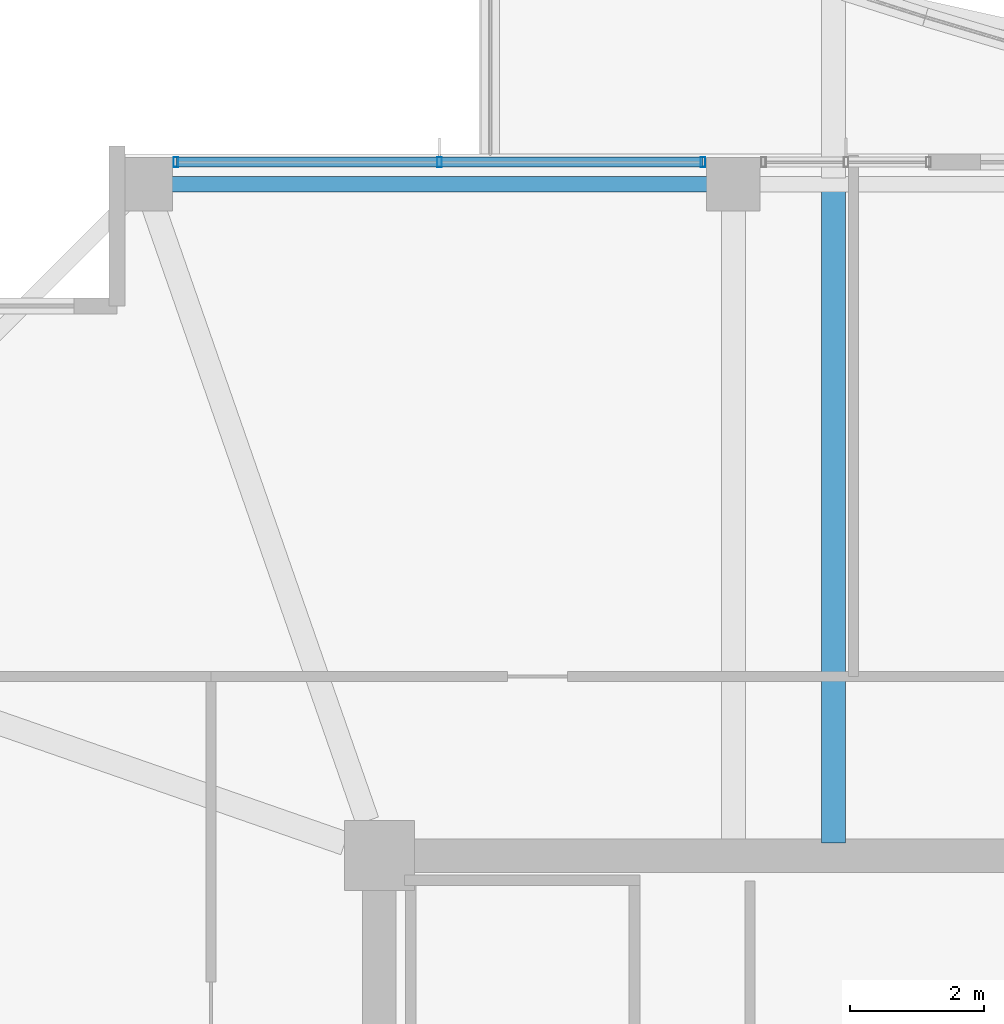
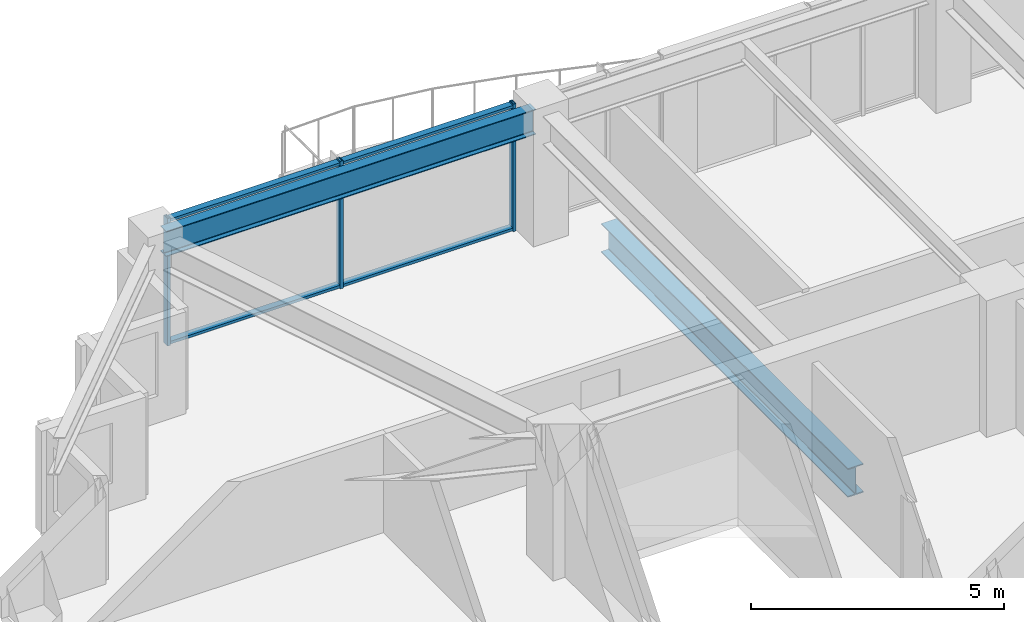
# One storey, part 16 of 36: 5 members, 2 beams, 1 element without a shape of its own.
"""IFC4 building model written with IfcOpenShell, lengths in metres."""

import ifcopenshell
import ifcopenshell.guid

model = None  # the IFC model being written
_history = None  # IfcOwnerHistory: only IFC2X3 demands one
_inside = {}  # id of a spatial element -> (the spatial element, [elements in it])
_under = {}  # id of a project, library or spatial element -> (it, [spatial elements below it])
_declared = {}  # id of a project -> (the project, [libraries it declares])
_typed = {}  # id of a type object -> (the type object, [elements of that type])
_made_of = {}  # id of a material, layer set ... -> (it, [elements and type objects made of it])


def new_model(schema):
    """Start an empty IFC model of exactly this schema.

    Asked for "IFC4X3", IfcOpenShell would pick the latest addendum, in which some entities
    have other attributes; the version numbers below select the first issue.
    IFC2X3 requires an IfcOwnerHistory on every rooted entity: one is made here for all.
    """
    global model, _history
    if schema == "IFC4X3":
        model = ifcopenshell.file(schema_version=(4, 3, 0, 0))
    else:
        model = ifcopenshell.file(schema=schema)
    _inside.clear()
    _under.clear()
    _declared.clear()
    _typed.clear()
    _made_of.clear()
    _history = None
    if model.schema == "IFC2X3":
        org = make("IfcOrganization", Name="unknown")
        user = make(
            "IfcPersonAndOrganization",
            ThePerson=make("IfcPerson", FamilyName="unknown"),
            TheOrganization=org,
        )
        app = make(
            "IfcApplication",
            ApplicationDeveloper=org,
            Version="unknown",
            ApplicationFullName="unknown",
            ApplicationIdentifier="unknown",
        )
        _history = make(
            "IfcOwnerHistory",
            OwningUser=user,
            OwningApplication=app,
            ChangeAction="ADDED",
            CreationDate=0,
        )
    return model


def make(cls, **values):
    """One entity of the class cls with the attributes given. An attribute that is None is left unset."""
    return model.create_entity(
        cls, **{name: value for name, value in values.items() if value is not None}
    )


def rooted(cls, **values):
    """An entity with a GlobalId (a new one), such as an element, a storey or a relation."""
    return make(cls, GlobalId=ifcopenshell.guid.new(), OwnerHistory=_history, **values)


def si_unit(unit_type, name, prefix=None):
    """IfcSIUnit, for example si_unit("LENGTHUNIT", "METRE", prefix="MILLI")."""
    return make("IfcSIUnit", UnitType=unit_type, Prefix=prefix, Name=name)


def assignment(units):
    """IfcUnitAssignment: the units of a project."""
    return None if units is None else make("IfcUnitAssignment", Units=units)


def point(xyz):
    """IfcCartesianPoint."""
    return None if xyz is None else make("IfcCartesianPoint", Coordinates=xyz)


def direction(xyz):
    """IfcDirection."""
    return None if xyz is None else make("IfcDirection", DirectionRatios=xyz)


def frame(location, z_axis=None, x_axis=None):
    """IfcAxis2Placement3D, a coordinate frame: its origin and axes. An axis left out is left unset."""
    return make(
        "IfcAxis2Placement3D",
        Location=point(location),
        Axis=direction(z_axis),
        RefDirection=direction(x_axis),
    )


def frame_2d(location, x_axis=None):
    """IfcAxis2Placement2D, a coordinate frame in the plane: its origin and x axis."""
    return make(
        "IfcAxis2Placement2D", Location=point(location), RefDirection=direction(x_axis)
    )


def origin():
    """The frame at (0, 0, 0) with its axes left unset."""
    return frame((0.0, 0.0, 0.0))


def origin_2d():
    """The frame at (0, 0) in the plane with its x axis left unset."""
    return frame_2d((0.0, 0.0))


def place(relative_to, where):
    """IfcLocalPlacement: puts the frame where relative to a parent placement (None: the world)."""
    return make(
        "IfcLocalPlacement", PlacementRelTo=relative_to, RelativePlacement=where
    )


def context(
    kind, dimensions, precision=None, world=None, true_north=None, identifier=None
):
    """IfcGeometricRepresentationContext, for example the 3D "Model" context."""
    return make(
        "IfcGeometricRepresentationContext",
        ContextIdentifier=identifier,
        ContextType=kind,
        CoordinateSpaceDimension=dimensions,
        Precision=precision,
        WorldCoordinateSystem=world,
        TrueNorth=true_north,
    )


def subcontext(parent, identifier, kind, view, scale=None):
    """IfcGeometricRepresentationSubContext, for example "Body" below "Model"."""
    return make(
        "IfcGeometricRepresentationSubContext",
        ContextIdentifier=identifier,
        ContextType=kind,
        ParentContext=parent,
        TargetScale=scale,
        TargetView=view,
    )


def project(units=None, contexts=None):
    """IfcProject with its units and contexts."""
    return rooted(
        "IfcProject",
        Name="project",
        RepresentationContexts=contexts,
        UnitsInContext=assignment(units),
    )


def spatial(cls, under=None, at=None, **own):
    """A site, building, storey or space (cls), placed at a placement, below another one or the project."""
    s = rooted(cls, ObjectPlacement=at, **own)
    if under is not None:
        _under.setdefault(under.id(), (under, []))[1].append(s)
    return s


def profile(cls, at=None, kind="AREA", **sizes):
    """A parametric profile (cls). Its sizes go by their IFC names, for example OverallWidth=200.0."""
    return make(cls, ProfileType=kind, Position=at, **sizes)


def hollow_rectangle(**sizes):
    """IfcRectangleHollowProfileDef."""
    return profile("IfcRectangleHollowProfileDef", **sizes)


def i_section(**sizes):
    """IfcIShapeProfileDef."""
    return profile("IfcIShapeProfileDef", **sizes)


def extrude(swept, where, along, depth):
    """IfcExtrudedAreaSolid: the profile swept, set in the frame where, extruded along a direction by depth."""
    return make(
        "IfcExtrudedAreaSolid",
        SweptArea=swept,
        Position=where,
        ExtrudedDirection=direction(along),
        Depth=depth,
    )


def shape(context_of_items, identifier, shape_type, items):
    """IfcShapeRepresentation: the items that make up one representation, for example the "Body"."""
    return make(
        "IfcShapeRepresentation",
        ContextOfItems=context_of_items,
        RepresentationIdentifier=identifier,
        RepresentationType=shape_type,
        Items=items,
    )


def material(Name=None, Category=None):
    """IfcMaterial."""
    return make("IfcMaterial", Name=Name, Category=Category)


def material_profile(
    of_material, cross_section, Name=None, Category=None, Priority=None
):
    """IfcMaterialProfile: a cross section and its material."""
    return make(
        "IfcMaterialProfile",
        Name=Name,
        Material=of_material,
        Profile=cross_section,
        Priority=Priority,
        Category=Category,
    )


def profile_set(profiles, Name=None, composite=None):
    """IfcMaterialProfileSet."""
    return make(
        "IfcMaterialProfileSet",
        Name=Name,
        MaterialProfiles=profiles,
        CompositeProfile=composite,
    )


def made_of(thing, what):
    """Note that an element or type object is made of a material, layer set ...; save() writes the relation."""
    if what is not None:
        _made_of.setdefault(what.id(), (what, []))[1].append(thing)
    return thing


def type_object(cls, material=None, **own):
    """A type object (cls), such as IfcWallType, which elements share."""
    return made_of(rooted(cls, **own), material)


def element(
    cls,
    number,
    at=None,
    inside=None,
    cuts=None,
    type_object=None,
    material=None,
    context=None,
    identifier="Body",
    shape_type=None,
    held_by="IfcProductDefinitionShape",
    body=None,
    shapes=None,
    **own,
):
    """One element of the class cls, such as IfcWall. Its Tag is "e" and its number.

    at: its placement. inside: the storey or other place that contains it. cuts: it is an
    opening in that element (IfcRelVoidsElement). A single representation is given by context,
    identifier, shape_type and body (its items); several are given by shapes. held_by: the class
    of the entity that holds the representations. save() writes the other relations.
    """
    e = rooted(cls, Tag="e%d" % number, ObjectPlacement=at, **own)
    if body is not None:
        shapes = [shape(context, identifier, shape_type, body)]
    if shapes is not None:
        e.Representation = make(held_by, Representations=shapes)
    if inside is not None:
        _inside.setdefault(inside.id(), (inside, []))[1].append(e)
    if cuts is not None:
        rooted(
            "IfcRelVoidsElement", RelatingBuildingElement=cuts, RelatedOpeningElement=e
        )
    if type_object is not None:
        _typed.setdefault(type_object.id(), (type_object, []))[1].append(e)
    return made_of(e, material)


def aggregate(whole, parts):
    """IfcRelAggregates: a whole, such as a stair, and the parts it consists of."""
    return rooted("IfcRelAggregates", RelatingObject=whole, RelatedObjects=parts)


def save(model, path):
    """Write the relations noted so far, then the file.

    IfcRelAggregates (storeys below a building ...), IfcRelContainedInSpatialStructure (elements
    in a storey), IfcRelDefinesByType, IfcRelAssociatesMaterial and IfcRelDeclares: one each for
    every whole, place, type object, material and project.
    """
    for whole, parts in _under.values():
        aggregate(whole, parts)
    for where, things in _inside.values():
        rooted(
            "IfcRelContainedInSpatialStructure",
            RelatedElements=things,
            RelatingStructure=where,
        )
    for kind, things in _typed.values():
        rooted("IfcRelDefinesByType", RelatedObjects=things, RelatingType=kind)
    for what, things in _made_of.values():
        rooted("IfcRelAssociatesMaterial", RelatedObjects=things, RelatingMaterial=what)
    for by, libraries in _declared.values():
        rooted("IfcRelDeclares", RelatingContext=by, RelatedDefinitions=libraries)
    model.write(path)


model = new_model("IFC4")

# Units and contexts
model_context = context("Model", 3, precision=1e-05, world=origin(), true_north=direction((0.0, 1.0)))
body_context = subcontext(model_context, "Body", "Model", "MODEL_VIEW")
ifc_project = project(units=[si_unit("LENGTHUNIT", "METRE"), si_unit("AREAUNIT", "SQUARE_METRE"), si_unit("VOLUMEUNIT", "CUBIC_METRE"), si_unit("PLANEANGLEUNIT", "RADIAN"), si_unit("MASSUNIT", "GRAM", prefix="KILO")], contexts=[model_context])

# Site, building, storey
site_placement = place(None, origin())
site = spatial("IfcSite", under=ifc_project, at=site_placement, CompositionType="ELEMENT")
building_placement = place(site_placement, origin())
building = spatial("IfcBuilding", under=site, at=building_placement, Name="Kolvaren Belvedere", CompositionType="ELEMENT")
storey_placement = place(building_placement, frame((0.0, 0.0, 196.5)))
storey = spatial("IfcBuildingStorey", under=building, at=storey_placement, Name="L57", CompositionType="ELEMENT", Elevation=196.5)

# Beams
ifc_material_1 = material(Name="Structural steel ASTM A992 Grade 50", Category="steel")
ifc_material_profile_1 = material_profile(ifc_material_1, i_section(OverallWidth=0.35498046875, OverallDepth=0.696044921875, WebThickness=0.015380859375, FlangeThickness=0.02490234375, FilletRadius=0.02197265625, at=origin_2d()), Name="W27X146")
ifc_profile_set_1 = profile_set([ifc_material_profile_1], Name="Structural steel ASTM A992 Grade 50")
beam_type_1 = type_object("IfcBeamType", Name="BM-GIRD-W27X146", PredefinedType="BEAM", material=ifc_profile_set_1)
beam_1_placement = place(storey_placement, frame((-3.10009765625, 10.090087890625, -0.568115234375), z_axis=(0.0, 1.0, 0.0), x_axis=(-1.0, 0.0, 0.0)))
element("IfcBeam", 1, at=beam_1_placement, inside=storey, type_object=beam_type_1, Name="L57 Balcony Interior Back-Span Girder BAL-N-1", PredefinedType="BEAM", context=body_context, shape_type="SweptSolid", body=[
    extrude(i_section(OverallWidth=0.35498046875, OverallDepth=0.696044921875, WebThickness=0.015380859375, FlangeThickness=0.02490234375, FilletRadius=0.02197265625, at=origin_2d()), origin(), (0.0, 0.0, 1.0), 9.764892578125),
])
ifc_material_2 = material(Name="Structural steel ASTM A992 Grade 50", Category="steel")
ifc_material_profile_2 = material_profile(ifc_material_2, i_section(OverallWidth=0.22900390625, OverallDepth=0.612060546875, WebThickness=0.011962890625, FlangeThickness=0.01953125, FilletRadius=0.01806640625, at=origin_2d()), Name="W24X84")
ifc_profile_set_2 = profile_set([ifc_material_profile_2], Name="Structural steel ASTM A992 Grade 50")
beam_type_2 = type_object("IfcBeamType", Name="BM-SPAN-W24X84", PredefinedType="SPANDREL", material=ifc_profile_set_2)
beam_2_placement = place(storey_placement, frame((-4.780029296875, 19.949951171875, 2.77392578125), z_axis=(-1.0, 0.0, 0.0), x_axis=(0.0, -1.0, 0.0)))
element("IfcBeam", 2, at=beam_2_placement, inside=storey, type_object=beam_type_2, Name="L57 Perimeter Spandrel N2-N1", PredefinedType="SPANDREL", context=body_context, shape_type="SweptSolid", body=[
    extrude(i_section(OverallWidth=0.22900390625, OverallDepth=0.612060546875, WebThickness=0.011962890625, FlangeThickness=0.01953125, FilletRadius=0.01806640625, at=origin_2d()), origin(), (0.0, 0.0, 1.0), 8.43994140625),
])

# Curtain wall, members
ifc_material_3 = material(Name="Anodised pale-metal aluminium AA 6063-T6", Category="aluminium")
curtain_wall_type = type_object("IfcCurtainWallType", Name="CW-Z5-HIGH", PredefinedType="NOTDEFINED", material=ifc_material_3)
curtain_wall_placement = place(storey_placement, origin())
curtain_wall = element("IfcCurtainWall", 3, at=curtain_wall_placement, inside=storey, type_object=curtain_wall_type, Name="L57 Unitised Curtain Wall FCW-L57-N1-B1", PredefinedType="NOTDEFINED")
ifc_material_4 = material(Name="Anodised pale-metal aluminium AA 6063-T6", Category="aluminium")
ifc_material_profile_3 = material_profile(ifc_material_4, hollow_rectangle(XDim=0.070068359375, YDim=0.14990234375, WallThickness=0.004150390625, at=origin_2d()), Name="ALU-MUL-150X70")
ifc_profile_set_3 = profile_set([ifc_material_profile_3], Name="Anodised pale-metal aluminium AA 6063-T6")
member_type_1 = type_object("IfcMemberType", Name="CW-MUL-150", PredefinedType="MULLION", material=ifc_profile_set_3)
member_1_placement = place(storey_placement, frame((-12.945068359375, 20.280029296875, 0.0), z_axis=(0.0, 0.0, 1.0), x_axis=(1.0, 0.0, 0.0)))
member_1 = element("IfcMember", 4, at=member_1_placement, type_object=member_type_1, Name="FCW-L57-N1-B1 Unitised Mullion 1", PredefinedType="MULLION", context=body_context, shape_type="SweptSolid", body=[
    extrude(hollow_rectangle(XDim=0.070068359375, YDim=0.14990234375, WallThickness=0.004150390625, at=origin_2d()), origin(), (0.0, 0.0, 1.0), 3.080078125),
])
member_2_placement = place(storey_placement, frame((-9.0, 20.280029296875, 0.0), z_axis=(0.0, 0.0, 1.0), x_axis=(1.0, 0.0, 0.0)))
member_2 = element("IfcMember", 5, at=member_2_placement, type_object=member_type_1, Name="FCW-L57-N1-B1 Unitised Mullion 2", PredefinedType="MULLION", context=body_context, shape_type="SweptSolid", body=[
    extrude(hollow_rectangle(XDim=0.070068359375, YDim=0.14990234375, WallThickness=0.004150390625, at=origin_2d()), origin(), (0.0, 0.0, 1.0), 3.080078125),
])
member_3_placement = place(storey_placement, frame((-5.054931640625, 20.280029296875, 0.0), z_axis=(0.0, 0.0, 1.0), x_axis=(1.0, 0.0, 0.0)))
member_3 = element("IfcMember", 6, at=member_3_placement, type_object=member_type_1, Name="FCW-L57-N1-B1 Unitised Mullion 3", PredefinedType="MULLION", context=body_context, shape_type="SweptSolid", body=[
    extrude(hollow_rectangle(XDim=0.070068359375, YDim=0.14990234375, WallThickness=0.004150390625, at=origin_2d()), origin(), (0.0, 0.0, 1.0), 3.080078125),
])
ifc_material_5 = material(Name="Anodised pale-metal aluminium AA 6063-T6", Category="aluminium")
ifc_material_profile_4 = material_profile(ifc_material_5, hollow_rectangle(XDim=0.06494140625, YDim=0.14990234375, WallThickness=0.00390625, at=origin_2d()), Name="ALU-TRN-150X65")
ifc_profile_set_4 = profile_set([ifc_material_profile_4], Name="Anodised pale-metal aluminium AA 6063-T6")
member_type_2 = type_object("IfcMemberType", Name="CW-TRN-150", PredefinedType="USERDEFINED", material=ifc_profile_set_4)
member_4_placement = place(storey_placement, frame((-12.945068359375, 20.280029296875, 0.06005859375), z_axis=(1.0, 0.0, 0.0), x_axis=(0.0, 0.0, 1.0)))
member_4 = element("IfcMember", 7, at=member_4_placement, type_object=member_type_2, Name="FCW-L57-N1-B1 Sill Transom", ObjectType="TRANSOM", PredefinedType="USERDEFINED", context=body_context, shape_type="SweptSolid", body=[
    extrude(hollow_rectangle(XDim=0.06494140625, YDim=0.14990234375, WallThickness=0.00390625, at=origin_2d()), origin(), (0.0, 0.0, 1.0), 7.89013671875),
])
member_5_placement = place(storey_placement, frame((-12.945068359375, 20.280029296875, 3.02001953125), z_axis=(1.0, 0.0, 0.0), x_axis=(0.0, 0.0, 1.0)))
member_5 = element("IfcMember", 8, at=member_5_placement, type_object=member_type_2, Name="FCW-L57-N1-B1 Head Transom", ObjectType="TRANSOM", PredefinedType="USERDEFINED", context=body_context, shape_type="SweptSolid", body=[
    extrude(hollow_rectangle(XDim=0.06494140625, YDim=0.14990234375, WallThickness=0.00390625, at=origin_2d()), origin(), (0.0, 0.0, 1.0), 7.89013671875),
])
aggregate(curtain_wall, [member_1, member_2, member_3, member_4, member_5])

save(model, "model.ifc")
